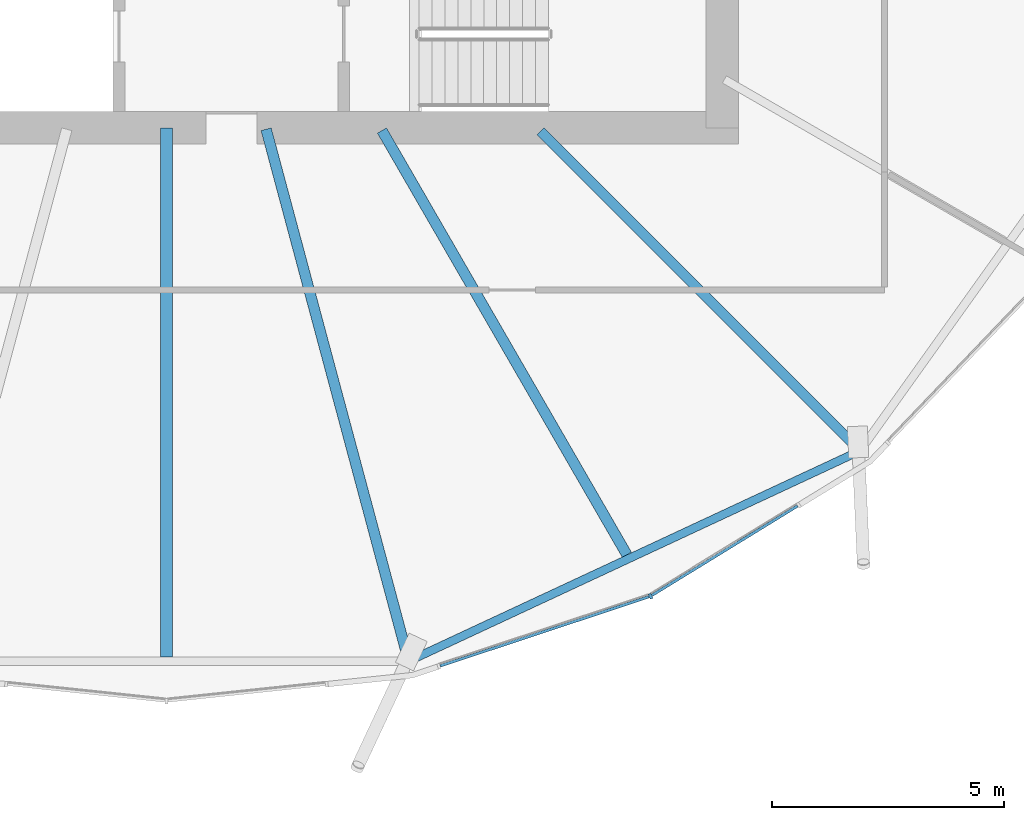
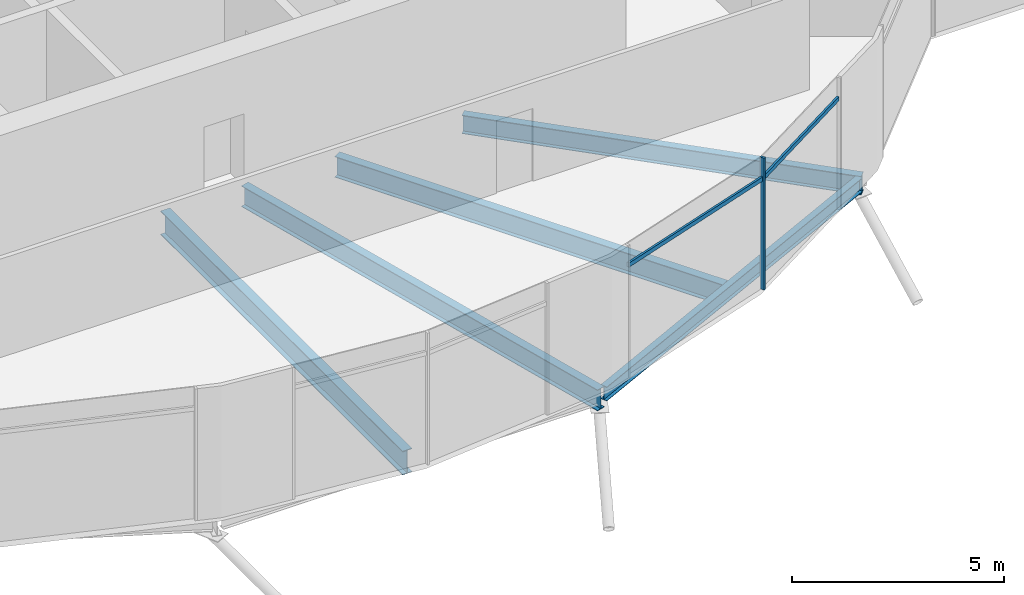
# One storey, part 4 of 39: 5 beams, 3 members, 1 element without a shape of its own.
"""IFC4 building model written with IfcOpenShell, lengths in metres."""

from ifc_helpers import new_model, si_unit, direction, frame, origin, origin_2d, place, context, subcontext, project, spatial, rectangle, i_section, extrude, material, material_profile, profile_set, type_object, element, aggregate, save


model = new_model("IFC4")

# Units and contexts
model_context = context("Model", 3, precision=1e-05, world=origin(), true_north=direction((0.0, 1.0)))
body_context = subcontext(model_context, "Body", "Model", "MODEL_VIEW")
ifc_project = project(units=[si_unit("LENGTHUNIT", "METRE"), si_unit("AREAUNIT", "SQUARE_METRE"), si_unit("VOLUMEUNIT", "CUBIC_METRE"), si_unit("PLANEANGLEUNIT", "RADIAN"), si_unit("MASSUNIT", "GRAM", prefix="KILO")], contexts=[model_context])

# Site, building, storey
site_placement = place(None, origin())
site = spatial("IfcSite", under=ifc_project, at=site_placement, CompositionType="ELEMENT")
building_placement = place(site_placement, origin())
building = spatial("IfcBuilding", under=site, at=building_placement, Name="Rimbun Link Towers", CompositionType="ELEMENT")
storey_placement = place(building_placement, frame((0.0, 0.0, 143.0)))
storey = spatial("IfcBuildingStorey", under=building, at=storey_placement, Name="L34", CompositionType="ELEMENT", Elevation=143.0)

# Curtain wall, members
ifc_material_1 = material(Name="Aluminium 6063-T6 and low-iron glass", Category="aluminium")
curtain_wall_type = type_object("IfcCurtainWallType", Name="CW4 link block wall", PredefinedType="NOTDEFINED", material=ifc_material_1)
curtain_wall_placement = place(storey_placement, origin())
curtain_wall = element("IfcCurtainWall", 1, at=curtain_wall_placement, inside=storey, type_object=curtain_wall_type, Name="CW4 L34 T1", PredefinedType="NOTDEFINED")
ifc_material_2 = material(Name="Aluminium 6063-T6", Category="aluminium")
ifc_material_profile_1 = material_profile(ifc_material_2, rectangle(XDim=0.1201171875, YDim=0.06005859375, at=origin_2d()), Name="MULLION 60X120")
ifc_profile_set_1 = profile_set([ifc_material_profile_1], Name="Aluminium 6063-T6")
member_type_1 = type_object("IfcMemberType", Name="CW4 mullion 60X120", PredefinedType="MULLION", material=ifc_profile_set_1)
member_1_placement = place(storey_placement, frame((-21.29931640625, -18.11181640625, 0.0), z_axis=(0.0, 0.0, 1.0), x_axis=(0.421697332152, -0.906736654192, 0.0)))
member_1 = element("IfcMember", 2, at=member_1_placement, type_object=member_type_1, Name="CW4 mullion", PredefinedType="MULLION", context=body_context, shape_type="SweptSolid", body=[
    extrude(rectangle(XDim=0.1201171875, YDim=0.06005859375, at=origin_2d()), origin(), (0.0, 0.0, 1.0), 3.800048828125),
])
ifc_material_3 = material(Name="Aluminium 6063-T6", Category="aluminium")
ifc_material_profile_2 = material_profile(ifc_material_3, rectangle(XDim=0.06005859375, YDim=0.1201171875, at=origin_2d()), Name="TRANSOM 60X120")
ifc_profile_set_2 = profile_set([ifc_material_profile_2], Name="Aluminium 6063-T6")
member_type_2 = type_object("IfcMemberType", Name="CW4 transom 60X120", PredefinedType="USERDEFINED", material=ifc_profile_set_2)
member_2_placement = place(storey_placement, frame((-21.334716796875, -18.1220703125, 3.199951171875), z_axis=(-0.949232304469, -0.314575956093, 0.0), x_axis=(0.314575956093, -0.949232304469, 0.0)))
member_2 = element("IfcMember", 3, at=member_2_placement, type_object=member_type_2, Name="CW4 transom", ObjectType="TRANSOM", PredefinedType="USERDEFINED", context=body_context, shape_type="SweptSolid", body=[
    extrude(rectangle(XDim=0.06005859375, YDim=0.1201171875, at=origin_2d()), origin(), (0.0, 0.0, 1.0), 4.745849609375),
])
member_3_placement = place(storey_placement, frame((-18.125, -16.1611328125, 3.199951171875), z_axis=(-0.85218054514, -0.523247855691, 0.0), x_axis=(0.523247855691, -0.85218054514, 0.0)))
member_3 = element("IfcMember", 4, at=member_3_placement, type_object=member_type_2, Name="CW4 transom", ObjectType="TRANSOM", PredefinedType="USERDEFINED", context=body_context, shape_type="SweptSolid", body=[
    extrude(rectangle(XDim=0.06005859375, YDim=0.1201171875, at=origin_2d()), origin(), (0.0, 0.0, 1.0), 3.688720703125),
])
aggregate(curtain_wall, [member_1, member_2, member_3])

# Beams
ifc_material_4 = material(Name="Steel S355J2", Category="steel")
ifc_material_profile_3 = material_profile(ifc_material_4, i_section(OverallWidth=0.177978515625, OverallDepth=0.406494140625, WebThickness=0.0078125, FlangeThickness=0.0126953125, at=origin_2d()), Name="UB 406x178x60")
ifc_profile_set_3 = profile_set([ifc_material_profile_3], Name="Steel S355J2")
beam_type_1 = type_object("IfcBeamType", Name="UB 406x178x60", PredefinedType="BEAM", material=ifc_profile_set_3)
beam_1_placement = place(storey_placement, frame((-26.415771484375, -19.46435546875, -0.38330078125), z_axis=(0.906400585734, 0.422419197222, 0.0), x_axis=(-0.422419197222, 0.906400585734, 0.0)))
element("IfcBeam", 5, at=beam_1_placement, inside=storey, type_object=beam_type_1, Name="Edge beam T1 L34 19-21", PredefinedType="BEAM", context=body_context, shape_type="SweptSolid", body=[
    extrude(i_section(OverallWidth=0.177978515625, OverallDepth=0.406494140625, WebThickness=0.0078125, FlangeThickness=0.0126953125, at=origin_2d()), origin(), (0.0, 0.0, 1.0), 10.521240234375),
])
ifc_material_5 = material(Name="Steel S355J2", Category="steel")
ifc_material_profile_4 = material_profile(ifc_material_5, i_section(OverallWidth=0.209228515625, OverallDepth=0.533203125, WebThickness=0.010009765625, FlangeThickness=0.015625, at=origin_2d()), Name="UB 533x210x92")
ifc_profile_set_4 = profile_set([ifc_material_profile_4], Name="Steel S355J2")
beam_type_2 = type_object("IfcBeamType", Name="UB 533x210x92", PredefinedType="BEAM", material=ifc_profile_set_4)
beam_2_placement = place(storey_placement, frame((-23.67529296875, -8.07470703125, -0.446533203125), z_axis=(0.707106781187, -0.707106781187, 0.0), x_axis=(0.707106781187, 0.707106781187, 0.0)))
element("IfcBeam", 6, at=beam_2_placement, inside=storey, type_object=beam_type_2, Name="Radial beam T1 L34 21", PredefinedType="BEAM", context=body_context, shape_type="SweptSolid", body=[
    extrude(i_section(OverallWidth=0.209228515625, OverallDepth=0.533203125, WebThickness=0.010009765625, FlangeThickness=0.015625, at=origin_2d()), origin(), (0.0, 0.0, 1.0), 9.7548828125),
])
ifc_material_6 = material(Name="Steel S355J2", Category="steel")
ifc_material_profile_5 = material_profile(ifc_material_6, i_section(OverallWidth=0.2275390625, OverallDepth=0.6025390625, WebThickness=0.010498046875, FlangeThickness=0.014892578125, at=origin_2d()), Name="UB 610x229x101")
ifc_profile_set_5 = profile_set([ifc_material_profile_5], Name="Steel S355J2")
beam_type_3 = type_object("IfcBeamType", Name="UB 610x229x101", PredefinedType="BEAM", material=ifc_profile_set_5)
beam_3_placement = place(storey_placement, frame((-29.598388671875, -8.030517578125, -0.481201171875), z_axis=(0.258824365794, -0.965924400598, 0.0), x_axis=(0.965924400598, 0.258824365794, 0.0)))
element("IfcBeam", 7, at=beam_3_placement, inside=storey, type_object=beam_type_3, Name="Radial beam T1 L34 19", PredefinedType="BEAM", context=body_context, shape_type="SweptSolid", body=[
    extrude(i_section(OverallWidth=0.2275390625, OverallDepth=0.6025390625, WebThickness=0.010498046875, FlangeThickness=0.014892578125, at=origin_2d()), origin(), (0.0, 0.0, 1.0), 11.887939453125),
])
beam_4_placement = place(storey_placement, frame((-27.097900390625, -8.057861328125, -0.481201171875), z_axis=(0.500014158692, -0.866017229106, 0.0), x_axis=(0.866017229106, 0.500014158692, 0.0)))
element("IfcBeam", 8, at=beam_4_placement, inside=storey, type_object=beam_type_3, Name="Radial beam T1 L34 20", PredefinedType="BEAM", context=body_context, shape_type="SweptSolid", body=[
    extrude(i_section(OverallWidth=0.2275390625, OverallDepth=0.6025390625, WebThickness=0.010498046875, FlangeThickness=0.014892578125, at=origin_2d()), origin(), (0.0, 0.0, 1.0), 10.577392578125),
])
ifc_material_7 = material(Name="Steel S355J2", Category="steel")
ifc_material_profile_6 = material_profile(ifc_material_7, i_section(OverallWidth=0.253662109375, OverallDepth=0.68359375, WebThickness=0.012451171875, FlangeThickness=0.01904296875, at=origin_2d()), Name="UB 686x254x140")
ifc_profile_set_6 = profile_set([ifc_material_profile_6], Name="Steel S355J2")
beam_type_4 = type_object("IfcBeamType", Name="UB 686x254x140", PredefinedType="BEAM", material=ifc_profile_set_6)
beam_5_placement = place(storey_placement, frame((-31.75, -8.0009765625, -0.521728515625), z_axis=(0.0, -1.0, 0.0), x_axis=(1.0, 0.0, 0.0)))
element("IfcBeam", 9, at=beam_5_placement, inside=storey, type_object=beam_type_4, Name="Radial beam T1 L34 18", PredefinedType="BEAM", context=body_context, shape_type="SweptSolid", body=[
    extrude(i_section(OverallWidth=0.253662109375, OverallDepth=0.68359375, WebThickness=0.012451171875, FlangeThickness=0.01904296875, at=origin_2d()), origin(), (0.0, 0.0, 1.0), 11.422607421875),
])

save(model, "model.ifc")
